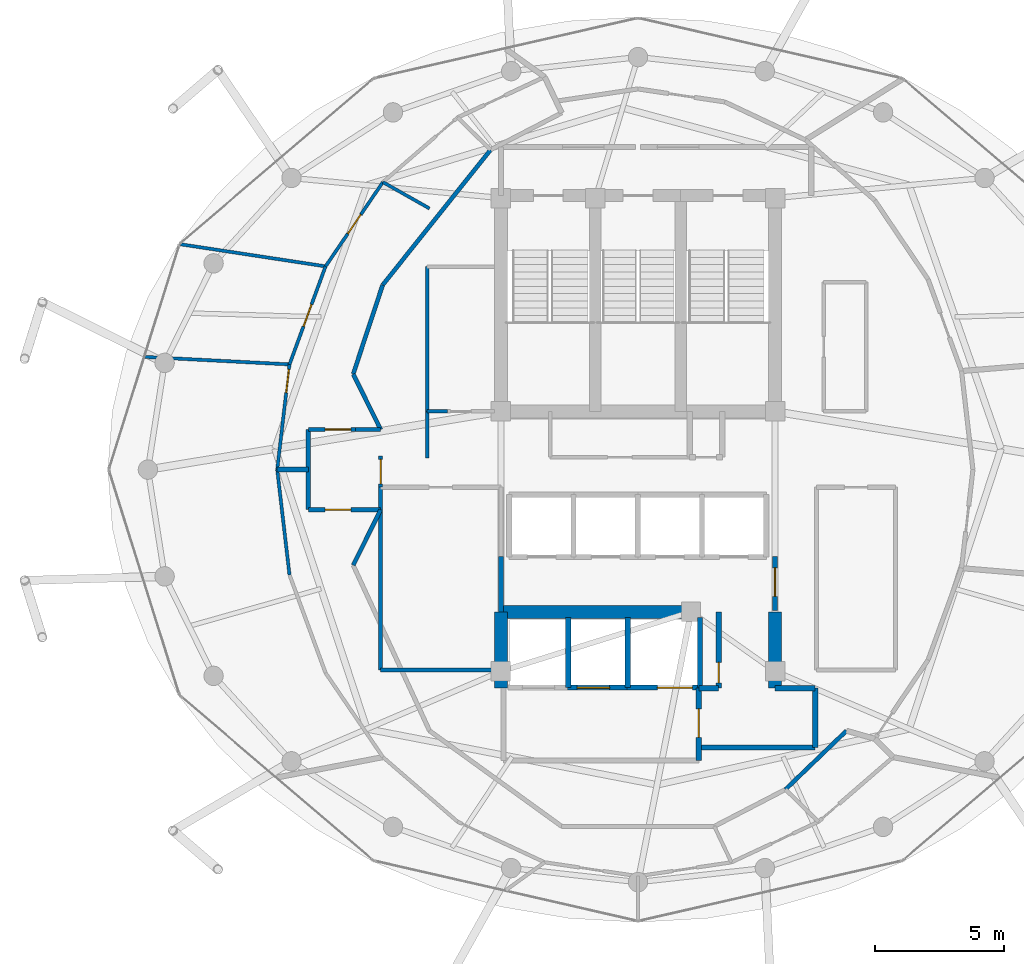
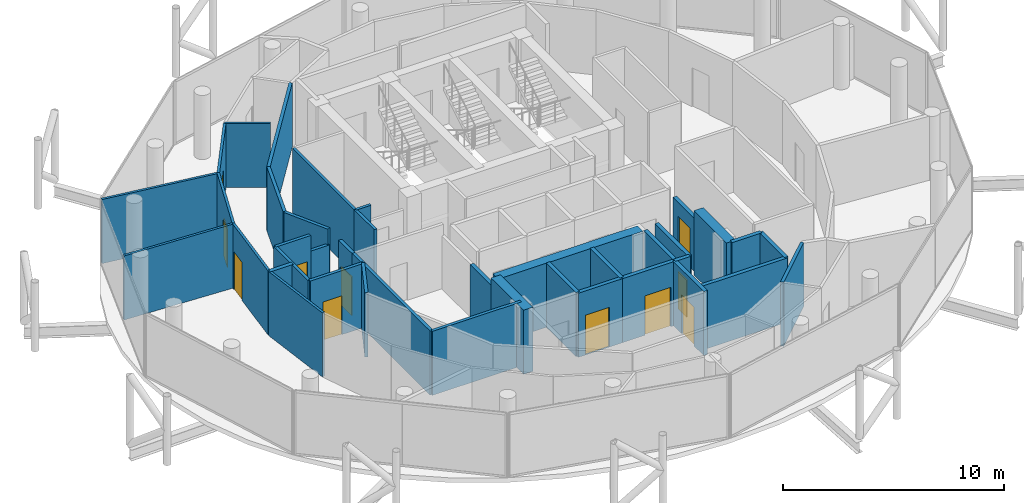
# One storey, part 20 of 24: 39 walls, 11 doors, 11 openings.
"""IFC4 building model written with IfcOpenShell, lengths in metres."""

from ifc_helpers import new_model, si_unit, direction, frame, frame_2d, origin, place, context, subcontext, project, spatial, rectangle, extrude, material, layer, layer_set, type_object, element, fill, save


model = new_model("IFC4")

# Units and contexts
model_context = context("Model", 3, precision=1e-05, world=origin(), true_north=direction((0.0, 1.0)))
body_context = subcontext(model_context, "Body", "Model", "MODEL_VIEW")
ifc_project = project(units=[si_unit("LENGTHUNIT", "METRE"), si_unit("AREAUNIT", "SQUARE_METRE"), si_unit("VOLUMEUNIT", "CUBIC_METRE"), si_unit("PLANEANGLEUNIT", "RADIAN"), si_unit("MASSUNIT", "GRAM", prefix="KILO")], contexts=[model_context])

# Site, building, storey
site_placement = place(None, origin())
site = spatial("IfcSite", under=ifc_project, at=site_placement, CompositionType="ELEMENT")
building_placement = place(site_placement, origin())
building = spatial("IfcBuilding", under=site, at=building_placement, Name="Nuhasar Tower", CompositionType="ELEMENT")
storey_placement = place(building_placement, frame((0.0, 0.0, 282.199951171875)))
storey = spatial("IfcBuildingStorey", under=building, at=storey_placement, Name="L70", CompositionType="ELEMENT", Elevation=282.199951171875)

# Walls
ifc_material_1 = material(Name="Concrete C50/60", Category="concrete")
ifc_layer_1 = layer(ifc_material_1, 0.5)
ifc_layer_set_1 = layer_set([ifc_layer_1], Name="Concrete C50/60")
wall_type_1 = type_object("IfcWallType", Name="WL-CORE-500", PredefinedType="SHEAR", material=ifc_layer_set_1)
for number, where, z_axis, x_axis, name in (
    (1, (33.699951171875, 18.35009765625, 0.0), (0.0, 0.0, 1.0), (0.0, 1.0, 0.0), "L70 Core Shear Wall CW-SW CW-500"),
    (2, (44.300048828125, 18.35009765625, 0.0), (0.0, 0.0, 1.0), (0.0, 1.0, 0.0), "L70 Core Shear Wall CW-SE CW-500"),
):
    element("IfcWall", number, at=place(storey_placement, frame(where, z_axis=z_axis, x_axis=x_axis)), inside=storey, type_object=wall_type_1, Name=name, PredefinedType="SHEAR", context=body_context, shape_type="SweptSolid", body=[
        extrude(rectangle(XDim=2.949951171875, YDim=0.5, at=frame_2d((1.47509765625, 0.0))), origin(), (0.0, 0.0, 1.0), 3.5400390625),
    ])
wall_1_placement = place(storey_placement, frame((33.699951171875, 21.300048828125, 0.0), z_axis=(0.0, 0.0, 1.0), x_axis=(1.0, 0.0, 0.0)))
element("IfcWall", 3, at=wall_1_placement, inside=storey, type_object=wall_type_1, Name="L70 Core Shear Wall CW-S1 CW-500", PredefinedType="SHEAR", context=body_context, shape_type="SweptSolid", body=[
    extrude(rectangle(XDim=7.550048828125, YDim=0.5, at=frame_2d((3.77490234375, 0.0))), origin(), (0.0, 0.0, 1.0), 3.5400390625),
])
ifc_material_2 = material(Name="Gypsum Board", Category="gypsum")
ifc_layer_2 = layer(ifc_material_2, 0.159912109375)
ifc_layer_set_2 = layer_set([ifc_layer_2], Name="Gypsum Board")
wall_type_2 = type_object("IfcWallType", Name="WL-CORR-160", PredefinedType="PARTITIONING", material=ifc_layer_set_2)
wall_2_placement = place(storey_placement, frame((29.050048828125, 19.050048828125, 0.0), z_axis=(0.0, 0.0, 1.0), x_axis=(1.0, 0.0, 0.0)))
element("IfcWall", 4, at=wall_2_placement, inside=storey, type_object=wall_type_2, Name="L70 Interior Partition RECL-B1-S", PredefinedType="PARTITIONING", context=body_context, shape_type="SweptSolid", body=[
    extrude(rectangle(XDim=4.64990234375, YDim=0.159912109375, at=frame_2d((2.324951171875, 0.0))), origin(), (0.0, 0.0, 1.0), 3.5400390625),
])
wall_3_placement = place(storey_placement, frame((29.050048828125, 19.050048828125, 0.0), z_axis=(0.0, 0.0, 1.0), x_axis=(0.0, 1.0, 0.0)))
element("IfcWall", 5, at=wall_3_placement, inside=storey, type_object=wall_type_2, Name="L70 Interior Partition RECL-B1-W", PredefinedType="PARTITIONING", context=body_context, shape_type="SweptSolid", body=[
    extrude(rectangle(XDim=7.070068359375, YDim=0.159912109375, at=frame_2d((3.53515625, 0.0))), origin(), (0.0, 0.0, 1.0), 3.5400390625),
])

# Wall, opening, door
wall_4_placement = place(storey_placement, frame((29.050048828125, 26.1201171875, 0.0), z_axis=(0.0, 0.0, 1.0), x_axis=(0.0, 1.0, 0.0)))
wall_4 = element("IfcWall", 6, at=wall_4_placement, inside=storey, type_object=wall_type_2, Name="L70 Interior Partition WVEST-E", PredefinedType="PARTITIONING", context=body_context, shape_type="SweptSolid", body=[
    extrude(rectangle(XDim=1.199951171875, YDim=0.159912109375, at=frame_2d((0.60009765625, 0.0))), origin(), (0.0, 0.0, 1.0), 3.5400390625),
])
opening_1_placement = place(wall_4_placement, frame((0.125, 0.0, 0.0)))
opening_1 = element("IfcOpeningElement", 7, at=opening_1_placement, cuts=wall_4, Name="Opening DO-01", PredefinedType="OPENING", context=body_context, shape_type="SweptSolid", body=[
    extrude(rectangle(XDim=0.949951171875, YDim=2.14990234375, at=frame_2d((0.47509765625, 1.074951171875))), frame((0.0, 0.08984375, 0.0), z_axis=(0.0, -1.0, 0.0), x_axis=(1.0, 0.0, 0.0)), (0.0, 0.0, 1.0), 0.179931640625),
])
ifc_material_3 = material(Name="Timber Oak", Category="wood")
door_type_1 = type_object("IfcDoorType", Name="DR-OFFICE-FD30-950", OperationType="NOTDEFINED", PredefinedType="DOOR", material=ifc_material_3)
door_1_placement = place(opening_1_placement, origin())
door_1 = element("IfcDoor", 8, at=door_1_placement, inside=storey, type_object=door_type_1, Name="L70 West Arrival Foyer Core Door", OperationType="SINGLE_SWING_RIGHT", OverallHeight=2.14990234375, OverallWidth=0.949951171875, PredefinedType="DOOR", context=body_context, shape_type="SweptSolid", body=[
    extrude(rectangle(XDim=0.949951171875, YDim=2.14990234375, at=frame_2d((0.47509765625, 1.074951171875))), frame((0.0, 0.02490234375, 0.0), z_axis=(0.0, -1.0, 0.0), x_axis=(1.0, 0.0, 0.0)), (0.0, 0.0, 1.0), 0.050048828125),
])
fill(opening_1, door_1)

# Walls
wall_5_placement = place(storey_placement, frame((33.300048828125, 39.1669921875, 0.0), z_axis=(0.0, 0.0, 1.0), x_axis=(-0.623915746766, -0.781491612839, 0.0)))
element("IfcWall", 9, at=wall_5_placement, inside=storey, type_object=wall_type_2, Name="L70 Interior Partition UWEST-CORE-N2-16", PredefinedType="PARTITIONING", context=body_context, shape_type="SweptSolid", body=[
    extrude(rectangle(XDim=6.6884765625, YDim=0.159912109375, at=frame_2d((3.34423828125, 0.0))), origin(), (0.0, 0.0, 1.0), 3.5400390625),
])
wall_6_placement = place(storey_placement, frame((29.126953125, 33.93994140625, 0.0), z_axis=(0.0, 0.0, 1.0), x_axis=(-0.313985571683, -0.949427754374, 0.0)))
element("IfcWall", 10, at=wall_6_placement, inside=storey, type_object=wall_type_2, Name="L70 Interior Partition UWEST-CORE-N2-20", PredefinedType="PARTITIONING", context=body_context, shape_type="SweptSolid", body=[
    extrude(rectangle(XDim=3.627197265625, YDim=0.159912109375, at=frame_2d((1.8134765625, 0.0))), origin(), (0.0, 0.0, 1.0), 3.5400390625),
])
wall_7_placement = place(storey_placement, frame((44.699951171875, 14.43310546875, 0.0), z_axis=(0.0, 0.0, 1.0), x_axis=(0.72090897908, 0.693029756851, 0.0)))
element("IfcWall", 11, at=wall_7_placement, inside=storey, type_object=wall_type_2, Name="L70 Interior Partition UWEST-CORE-S2-40", PredefinedType="PARTITIONING", context=body_context, shape_type="SweptSolid", body=[
    extrude(rectangle(XDim=3.275146484375, YDim=0.159912109375, at=frame_2d((1.6376953125, 0.0))), origin(), (0.0, 0.0, 1.0), 3.5400390625),
])

# Wall, opening, door
wall_8_placement = place(storey_placement, frame((26.25, 28.35009765625, 0.0), z_axis=(0.0, 0.0, 1.0), x_axis=(1.0, 0.0, 0.0)))
wall_8 = element("IfcWall", 12, at=wall_8_placement, inside=storey, type_object=wall_type_2, Name="L70 Interior Partition WVEST-N", PredefinedType="PARTITIONING", context=body_context, shape_type="SweptSolid", body=[
    extrude(rectangle(XDim=1.820068359375, YDim=0.159912109375, at=frame_2d((0.91015625, 0.0))), origin(), (0.0, 0.0, 1.0), 3.5400390625),
])
opening_2_placement = place(wall_8_placement, frame((0.64990234375, 0.0, 0.0)))
opening_2 = element("IfcOpeningElement", 13, at=opening_2_placement, cuts=wall_8, Name="Opening DU-02", PredefinedType="OPENING", context=body_context, shape_type="SweptSolid", body=[
    extrude(rectangle(XDim=1.0, YDim=2.14990234375, at=frame_2d((0.5, 1.074951171875))), frame((0.0, 0.08984375, 0.0), z_axis=(0.0, -1.0, 0.0), x_axis=(1.0, 0.0, 0.0)), (0.0, 0.0, 1.0), 0.179931640625),
])
door_type_2 = type_object("IfcDoorType", Name="DR-FLAT-FD60-1000", OperationType="NOTDEFINED", PredefinedType="DOOR", material=ifc_material_3)
door_2_placement = place(opening_2_placement, origin())
door_2 = element("IfcDoor", 14, at=door_2_placement, inside=storey, type_object=door_type_2, Name="L70 North-West Sky Home Entrance", OperationType="SINGLE_SWING_LEFT", OverallHeight=2.14990234375, OverallWidth=1.0, PredefinedType="DOOR", context=body_context, shape_type="SweptSolid", body=[
    extrude(rectangle(XDim=1.0, YDim=2.14990234375, at=frame_2d((0.5, 1.074951171875))), frame((0.0, 0.02490234375, 0.0), z_axis=(0.0, -1.0, 0.0), x_axis=(1.0, 0.0, 0.0)), (0.0, 0.0, 1.0), 0.050048828125),
])
fill(opening_2, door_2)

# Wall
wall_9_placement = place(storey_placement, frame((28.070068359375, 28.35009765625, 0.0), z_axis=(0.0, 0.0, 1.0), x_axis=(1.0, 0.0, 0.0)))
element("IfcWall", 15, at=wall_9_placement, inside=storey, type_object=wall_type_2, Name="L70 Interior Partition WVEST-N", PredefinedType="PARTITIONING", context=body_context, shape_type="SweptSolid", body=[
    extrude(rectangle(XDim=0.97998046875, YDim=0.159912109375, at=frame_2d((0.489990234375, 0.0))), origin(), (0.0, 0.0, 1.0), 2.679931640625),
])

# Wall, opening, door
wall_10_placement = place(storey_placement, frame((26.25, 25.25, 0.0), z_axis=(0.0, 0.0, 1.0), x_axis=(1.0, 0.0, 0.0)))
wall_10 = element("IfcWall", 16, at=wall_10_placement, inside=storey, type_object=wall_type_2, Name="L70 Interior Partition WVEST-S", PredefinedType="PARTITIONING", context=body_context, shape_type="SweptSolid", body=[
    extrude(rectangle(XDim=2.800048828125, YDim=0.159912109375, at=frame_2d((1.39990234375, 0.0))), origin(), (0.0, 0.0, 1.0), 3.5400390625),
])
opening_3_placement = place(wall_10_placement, frame((0.64990234375, 0.0, 0.0)))
opening_3 = element("IfcOpeningElement", 17, at=opening_3_placement, cuts=wall_10, Name="Opening DU-02", PredefinedType="OPENING", context=body_context, shape_type="SweptSolid", body=[
    extrude(rectangle(XDim=1.0, YDim=2.14990234375, at=frame_2d((0.5, 1.074951171875))), frame((0.0, 0.08984375, 0.0), z_axis=(0.0, -1.0, 0.0), x_axis=(1.0, 0.0, 0.0)), (0.0, 0.0, 1.0), 0.179931640625),
])
door_3_placement = place(opening_3_placement, origin())
door_3 = element("IfcDoor", 18, at=door_3_placement, inside=storey, type_object=door_type_2, Name="L70 South-West Sky Home Entrance", OperationType="SINGLE_SWING_LEFT", OverallHeight=2.14990234375, OverallWidth=1.0, PredefinedType="DOOR", context=body_context, shape_type="SweptSolid", body=[
    extrude(rectangle(XDim=1.0, YDim=2.14990234375, at=frame_2d((0.5, 1.074951171875))), frame((0.0, 0.02490234375, 0.0), z_axis=(0.0, -1.0, 0.0), x_axis=(1.0, 0.0, 0.0)), (0.0, 0.0, 1.0), 0.050048828125),
])
fill(opening_3, door_3)

# Walls
wall_11_placement = place(storey_placement, frame((26.25, 25.25, 0.0), z_axis=(0.0, 0.0, 1.0), x_axis=(0.0, 1.0, 0.0)))
element("IfcWall", 19, at=wall_11_placement, inside=storey, type_object=wall_type_2, Name="L70 Interior Partition WVEST-W", PredefinedType="PARTITIONING", context=body_context, shape_type="SweptSolid", body=[
    extrude(rectangle(XDim=3.10009765625, YDim=0.159912109375, at=frame_2d((1.550048828125, 0.0))), origin(), (0.0, 0.0, 1.0), 3.5400390625),
])
for number, where, z_axis, x_axis, name in (
    (20, (27.988037109375, 30.49609375, 0.0), (0.0, 0.0, 1.0), (0.443539160525, -0.896254993337, 0.0), "L70 Interior Partition WVEST-CN"),
    (21, (27.988037109375, 23.10400390625, 0.0), (0.0, 0.0, 1.0), (0.443539160525, 0.896254993337, 0.0), "L70 Interior Partition WVEST-CS"),
):
    element("IfcWall", number, at=place(storey_placement, frame(where, z_axis=z_axis, x_axis=x_axis)), inside=storey, type_object=wall_type_2, Name=name, PredefinedType="PARTITIONING", context=body_context, shape_type="SweptSolid", body=[
        extrude(rectangle(XDim=2.394287109375, YDim=0.159912109375, at=frame_2d((1.197265625, 0.0))), origin(), (0.0, 0.0, 1.0), 3.5400390625),
    ])
ifc_material_4 = material(Name="Concrete C45/55", Category="concrete")
ifc_layer_3 = layer(ifc_material_4, 0.199951171875)
ifc_layer_set_3 = layer_set([ifc_layer_3], Name="Concrete C45/55")
wall_type_3 = type_object("IfcWallType", Name="WL-LOBBY-200", PredefinedType="SOLIDWALL", material=ifc_layer_set_3)
wall_12_placement = place(storey_placement, frame((33.699951171875, 21.300048828125, 0.0), z_axis=(0.0, 0.0, 1.0), x_axis=(0.0, 1.0, 0.0)))
element("IfcWall", 22, at=wall_12_placement, inside=storey, type_object=wall_type_3, Name="L70 Interior Partition LLBH-W", PredefinedType="SOLIDWALL", context=body_context, shape_type="SweptSolid", body=[
    extrude(rectangle(XDim=2.14990234375, YDim=0.199951171875, at=frame_2d((1.074951171875, 0.0))), origin(), (0.0, 0.0, 1.0), 2.925048828125),
])

# Wall, opening, door
wall_13_placement = place(storey_placement, frame((44.300048828125, 21.35009765625, 0.0), z_axis=(0.0, 0.0, 1.0), x_axis=(0.0, 1.0, 0.0)))
wall_13 = element("IfcWall", 23, at=wall_13_placement, inside=storey, type_object=wall_type_3, Name="L70 Interior Partition LLBH-E", PredefinedType="SOLIDWALL", context=body_context, shape_type="SweptSolid", body=[
    extrude(rectangle(XDim=2.099853515625, YDim=0.199951171875, at=frame_2d((1.0498046875, 0.0))), origin(), (0.0, 0.0, 1.0), 2.925048828125),
])
opening_4_placement = place(wall_13_placement, frame((0.550048828125, 0.0, 0.0)))
opening_4 = element("IfcOpeningElement", 24, at=opening_4_placement, cuts=wall_13, Name="Opening DS-02", PredefinedType="OPENING", context=body_context, shape_type="SweptSolid", body=[
    extrude(rectangle(XDim=1.10009765625, YDim=2.14990234375, at=frame_2d((0.550048828125, 1.074951171875))), frame((0.0, 0.10986328125, 0.0), z_axis=(0.0, -1.0, 0.0), x_axis=(1.0, 0.0, 0.0)), (0.0, 0.0, 1.0), 0.219970703125),
])
ifc_material_5 = material(Name="Steel S355", Category="steel")
door_type_3 = type_object("IfcDoorType", Name="DR-FFL-FD120-1100", OperationType="NOTDEFINED", PredefinedType="DOOR", material=ifc_material_5)
door_4_placement = place(opening_4_placement, origin())
door_4 = element("IfcDoor", 25, at=door_4_placement, inside=storey, type_object=door_type_3, Name="L70 High-Rise Lobby East Door", OperationType="SINGLE_SWING_RIGHT", OverallHeight=2.14990234375, OverallWidth=1.10009765625, PredefinedType="DOOR", context=body_context, shape_type="SweptSolid", body=[
    extrude(rectangle(XDim=1.10009765625, YDim=2.14990234375, at=frame_2d((0.550048828125, 1.074951171875))), frame((0.0, 0.02490234375, 0.0), z_axis=(0.0, -1.0, 0.0), x_axis=(1.0, 0.0, 0.0)), (0.0, 0.0, 1.0), 0.050048828125),
])
fill(opening_4, door_4)

wall_14_placement = place(storey_placement, frame((41.35009765625, 15.550048828125, 0.0), z_axis=(0.0, 0.0, 1.0), x_axis=(0.0, 1.0, 0.0)))
wall_14 = element("IfcWall", 26, at=wall_14_placement, inside=storey, type_object=wall_type_3, Name="L70 Interior Partition FFL-E", PredefinedType="SOLIDWALL", context=body_context, shape_type="SweptSolid", body=[
    extrude(rectangle(XDim=2.800048828125, YDim=0.199951171875, at=frame_2d((1.39990234375, 0.0))), origin(), (0.0, 0.0, 1.0), 3.5400390625),
])
opening_5_placement = place(wall_14_placement, frame((0.89990234375, 0.0, 0.0)))
opening_5 = element("IfcOpeningElement", 27, at=opening_5_placement, cuts=wall_14, Name="Opening DS-02", PredefinedType="OPENING", context=body_context, shape_type="SweptSolid", body=[
    extrude(rectangle(XDim=1.10009765625, YDim=2.14990234375, at=frame_2d((0.550048828125, 1.074951171875))), frame((0.0, 0.10986328125, 0.0), z_axis=(0.0, -1.0, 0.0), x_axis=(1.0, 0.0, 0.0)), (0.0, 0.0, 1.0), 0.219970703125),
])
door_5_placement = place(opening_5_placement, origin())
door_5 = element("IfcDoor", 28, at=door_5_placement, inside=storey, type_object=door_type_3, Name="L70 Firefighting Lobby Door", OperationType="SINGLE_SWING_RIGHT", OverallHeight=2.14990234375, OverallWidth=1.10009765625, PredefinedType="DOOR", context=body_context, shape_type="SweptSolid", body=[
    extrude(rectangle(XDim=1.10009765625, YDim=2.14990234375, at=frame_2d((0.550048828125, 1.074951171875))), frame((0.0, 0.02490234375, 0.0), z_axis=(0.0, -1.0, 0.0), x_axis=(1.0, 0.0, 0.0)), (0.0, 0.0, 1.0), 0.050048828125),
])
fill(opening_5, door_5)

# Walls
wall_15_placement = place(storey_placement, frame((41.35009765625, 16.050048828125, 0.0), z_axis=(0.0, 0.0, 1.0), x_axis=(1.0, 0.0, 0.0)))
element("IfcWall", 29, at=wall_15_placement, inside=storey, type_object=wall_type_3, Name="L70 Interior Partition SVLV-S", PredefinedType="SOLIDWALL", context=body_context, shape_type="SweptSolid", body=[
    extrude(rectangle(XDim=4.5, YDim=0.199951171875, at=frame_2d((2.25, 0.0))), origin(), (0.0, 0.0, 1.0), 3.5400390625),
])
wall_16_placement = place(storey_placement, frame((45.85009765625, 16.050048828125, 0.0), z_axis=(0.0, 0.0, 1.0), x_axis=(0.0, 1.0, 0.0)))
element("IfcWall", 30, at=wall_16_placement, inside=storey, type_object=wall_type_3, Name="L70 Interior Partition SVLV-E", PredefinedType="SOLIDWALL", context=body_context, shape_type="SweptSolid", body=[
    extrude(rectangle(XDim=2.300048828125, YDim=0.199951171875, at=frame_2d((1.14990234375, 0.0))), origin(), (0.0, 0.0, 1.0), 3.5400390625),
])
wall_17_placement = place(storey_placement, frame((44.300048828125, 18.35009765625, 0.0), z_axis=(0.0, 0.0, 1.0), x_axis=(1.0, 0.0, 0.0)))
element("IfcWall", 31, at=wall_17_placement, inside=storey, type_object=wall_type_3, Name="L70 Interior Partition SVLV-N", PredefinedType="SOLIDWALL", context=body_context, shape_type="SweptSolid", body=[
    extrude(rectangle(XDim=1.550048828125, YDim=0.199951171875, at=frame_2d((0.77490234375, 0.0))), origin(), (0.0, 0.0, 1.0), 3.5400390625),
])
ifc_layer_4 = layer(ifc_material_2, 0.125)
ifc_layer_set_4 = layer_set([ifc_layer_4], Name="Gypsum Board")
wall_type_4 = type_object("IfcWallType", Name="WL-PART-125", PredefinedType="PARTITIONING", material=ifc_layer_set_4)
wall_18_placement = place(storey_placement, frame((30.93896484375, 36.89697265625, 0.0), z_axis=(0.0, 0.0, 1.0), x_axis=(-0.870569425254, 0.492045603387, 0.0)))
element("IfcWall", 32, at=wall_18_placement, inside=storey, type_object=wall_type_4, Name="L70 Interior Partition USI-1-KD", PredefinedType="PARTITIONING", context=body_context, shape_type="SweptSolid", body=[
    extrude(rectangle(XDim=2.071044921875, YDim=0.125, at=frame_2d((1.03564453125, 0.0))), origin(), (0.0, 0.0, 1.0), 3.5400390625),
])

# Wall, opening, door
wall_19_placement = place(storey_placement, frame((26.9189453125, 34.659912109375, 0.0), z_axis=(0.0, 0.0, 1.0), x_axis=(0.562811699753, 0.826585138157, 0.0)))
wall_19 = element("IfcWall", 33, at=wall_19_placement, inside=storey, type_object=wall_type_4, Name="L70 Interior Partition USM-1-D-18", PredefinedType="PARTITIONING", context=body_context, shape_type="SweptSolid", body=[
    extrude(rectangle(XDim=3.939208984375, YDim=0.125, at=frame_2d((1.9697265625, 0.0))), origin(), (0.0, 0.0, 1.0), 3.5400390625),
])
opening_6_placement = place(wall_19_placement, frame((1.52001953125, 0.0, 0.0)))
opening_6 = element("IfcOpeningElement", 34, at=opening_6_placement, cuts=wall_19, Name="Opening DR-01", PredefinedType="OPENING", context=body_context, shape_type="SweptSolid", body=[
    extrude(rectangle(XDim=0.89990234375, YDim=2.10009765625, at=frame_2d((0.449951171875, 1.050048828125))), frame((0.0, 0.072509765625, 0.0), z_axis=(0.0, -1.0, 0.0), x_axis=(1.0, 0.0, 0.0)), (0.0, 0.0, 1.0), 0.14501953125),
])
door_type_4 = type_object("IfcDoorType", Name="DR-ROOM-900", OperationType="NOTDEFINED", PredefinedType="DOOR", material=ifc_material_3)
door_6_placement = place(opening_6_placement, origin())
door_6 = element("IfcDoor", 35, at=door_6_placement, inside=storey, type_object=door_type_4, Name="L70 North-West Sky Home Master Bedroom Door", OperationType="SINGLE_SWING_LEFT", OverallHeight=2.10009765625, OverallWidth=0.89990234375, PredefinedType="DOOR", context=body_context, shape_type="SweptSolid", body=[
    extrude(rectangle(XDim=0.89990234375, YDim=2.10009765625, at=frame_2d((0.449951171875, 1.050048828125))), frame((0.0, 0.02490234375, 0.0), z_axis=(0.0, -1.0, 0.0), x_axis=(1.0, 0.0, 0.0)), (0.0, 0.0, 1.0), 0.050048828125),
])
fill(opening_6, door_6)

wall_20_placement = place(storey_placement, frame((25.52490234375, 30.868896484375, 0.0), z_axis=(0.0, 0.0, 1.0), x_axis=(0.345128286029, 0.938555521097, 0.0)))
wall_20 = element("IfcWall", 36, at=wall_20_placement, inside=storey, type_object=wall_type_4, Name="L70 Interior Partition USM-1-D-20", PredefinedType="PARTITIONING", context=body_context, shape_type="SweptSolid", body=[
    extrude(rectangle(XDim=4.039306640625, YDim=0.125, at=frame_2d((2.01953125, 0.0))), origin(), (0.0, 0.0, 1.0), 3.5400390625),
])
opening_7_placement = place(wall_20_placement, frame((1.570068359375, 0.0, 0.0)))
opening_7 = element("IfcOpeningElement", 37, at=opening_7_placement, cuts=wall_20, Name="Opening DR-01", PredefinedType="OPENING", context=body_context, shape_type="SweptSolid", body=[
    extrude(rectangle(XDim=0.89990234375, YDim=2.10009765625, at=frame_2d((0.449951171875, 1.050048828125))), frame((0.0, 0.072509765625, 0.0), z_axis=(0.0, -1.0, 0.0), x_axis=(1.0, 0.0, 0.0)), (0.0, 0.0, 1.0), 0.14501953125),
])
door_7_placement = place(opening_7_placement, origin())
door_7 = element("IfcDoor", 38, at=door_7_placement, inside=storey, type_object=door_type_4, Name="L70 North-West Sky Home Study Door", OperationType="SINGLE_SWING_RIGHT", OverallHeight=2.10009765625, OverallWidth=0.89990234375, PredefinedType="DOOR", context=body_context, shape_type="SweptSolid", body=[
    extrude(rectangle(XDim=0.89990234375, YDim=2.10009765625, at=frame_2d((0.449951171875, 1.050048828125))), frame((0.0, 0.02490234375, 0.0), z_axis=(0.0, -1.0, 0.0), x_axis=(1.0, 0.0, 0.0)), (0.0, 0.0, 1.0), 0.050048828125),
])
fill(opening_7, door_7)

wall_21_placement = place(storey_placement, frame((25.050048828125, 26.800048828125, 0.0), z_axis=(0.0, 0.0, 1.0), x_axis=(0.115917937966, 0.993258793899, 0.0)))
wall_21 = element("IfcWall", 39, at=wall_21_placement, inside=storey, type_object=wall_type_4, Name="L70 Interior Partition USM-1-D-22", PredefinedType="PARTITIONING", context=body_context, shape_type="SweptSolid", body=[
    extrude(rectangle(XDim=4.096435546875, YDim=0.125, at=frame_2d((2.04833984375, 0.0))), origin(), (0.0, 0.0, 1.0), 3.5400390625),
])
opening_8_placement = place(wall_21_placement, frame((2.9970703125, 0.0, 0.0)))
opening_8 = element("IfcOpeningElement", 40, at=opening_8_placement, cuts=wall_21, Name="Opening DR-01", PredefinedType="OPENING", context=body_context, shape_type="SweptSolid", body=[
    extrude(rectangle(XDim=0.89990234375, YDim=2.10009765625, at=frame_2d((0.449951171875, 1.050048828125))), frame((0.0, 0.072509765625, 0.0), z_axis=(0.0, -1.0, 0.0), x_axis=(1.0, 0.0, 0.0)), (0.0, 0.0, 1.0), 0.14501953125),
])
door_8_placement = place(opening_8_placement, origin())
door_8 = element("IfcDoor", 41, at=door_8_placement, inside=storey, type_object=door_type_4, Name="L70 North-West Sky Home Living Door", OperationType="SINGLE_SWING_RIGHT", OverallHeight=2.10009765625, OverallWidth=0.89990234375, PredefinedType="DOOR", context=body_context, shape_type="SweptSolid", body=[
    extrude(rectangle(XDim=0.89990234375, YDim=2.10009765625, at=frame_2d((0.449951171875, 1.050048828125))), frame((0.0, 0.02490234375, 0.0), z_axis=(0.0, -1.0, 0.0), x_axis=(1.0, 0.0, 0.0)), (0.0, 0.0, 1.0), 0.050048828125),
])
fill(opening_8, door_8)

# Walls
wall_22_placement = place(storey_placement, frame((25.050048828125, 26.800048828125, 0.0), z_axis=(0.0, 0.0, 1.0), x_axis=(0.115911076473, -0.993259594643, 0.0)))
element("IfcWall", 42, at=wall_22_placement, inside=storey, type_object=wall_type_4, Name="L70 Interior Partition USM-1-D-24", PredefinedType="PARTITIONING", context=body_context, shape_type="SweptSolid", body=[
    extrude(rectangle(XDim=4.0966796875, YDim=0.125, at=frame_2d((2.04833984375, 0.0))), origin(), (0.0, 0.0, 1.0), 3.5400390625),
])
wall_23_placement = place(storey_placement, frame((26.9189453125, 34.659912109375, 0.0), z_axis=(0.0, 0.0, 1.0), x_axis=(-0.988628020007, 0.150381641354, 0.0)))
element("IfcWall", 43, at=wall_23_placement, inside=storey, type_object=wall_type_4, Name="L70 Interior Partition USO-1-B1", PredefinedType="PARTITIONING", context=body_context, shape_type="SweptSolid", body=[
    extrude(rectangle(XDim=5.67236328125, YDim=0.125, at=frame_2d((2.836181640625, 0.0))), origin(), (0.0, 0.0, 1.0), 3.5400390625),
])
wall_24_placement = place(storey_placement, frame((25.52490234375, 30.868896484375, 0.0), z_axis=(0.0, 0.0, 1.0), x_axis=(-0.998670767361, 0.051543170428, 0.0)))
element("IfcWall", 44, at=wall_24_placement, inside=storey, type_object=wall_type_4, Name="L70 Interior Partition USO-1-B2", PredefinedType="PARTITIONING", context=body_context, shape_type="SweptSolid", body=[
    extrude(rectangle(XDim=5.589111328125, YDim=0.125, at=frame_2d((2.79443359375, 0.0))), origin(), (0.0, 0.0, 1.0), 3.5400390625),
])
ifc_layer_5 = layer(ifc_material_4, 0.199951171875)
ifc_layer_set_5 = layer_set([ifc_layer_5], Name="Concrete C45/55")
wall_type_5 = type_object("IfcWallType", Name="WL-SHAFT-200", PredefinedType="SOLIDWALL", material=ifc_layer_set_5)
wall_25_placement = place(storey_placement, frame((36.300048828125, 18.3701171875, 0.0), z_axis=(0.0, 0.0, 1.0), x_axis=(0.0, 1.0, 0.0)))
element("IfcWall", 45, at=wall_25_placement, inside=storey, type_object=wall_type_5, Name="L70 Interior Partition SHF-FFL-01-E", PredefinedType="SOLIDWALL", context=body_context, shape_type="SweptSolid", body=[
    extrude(rectangle(XDim=2.7099609375, YDim=0.199951171875, at=frame_2d((1.35498046875, 0.0))), origin(), (0.0, 0.0, 1.0), 3.5400390625),
])

# Wall, opening, door
wall_26_placement = place(storey_placement, frame((36.27001953125, 18.3701171875, 0.0), z_axis=(0.0, 0.0, 1.0), x_axis=(1.0, 0.0, 0.0)))
wall_26 = element("IfcWall", 46, at=wall_26_placement, inside=storey, type_object=wall_type_5, Name="L70 Interior Partition SHF-FFL-02-S", PredefinedType="SOLIDWALL", context=body_context, shape_type="SweptSolid", body=[
    extrude(rectangle(XDim=2.35986328125, YDim=0.199951171875, at=frame_2d((1.179931640625, 0.0))), origin(), (0.0, 0.0, 1.0), 3.5400390625),
])
opening_9_placement = place(wall_26_placement, frame((0.3798828125, 0.0, 0.0)))
opening_9 = element("IfcOpeningElement", 47, at=opening_9_placement, cuts=wall_26, Name="Opening LD-F02", PredefinedType="OPENING", context=body_context, shape_type="SweptSolid", body=[
    extrude(rectangle(XDim=1.25, YDim=2.199951171875, at=frame_2d((0.625, 1.10009765625))), frame((0.0, 0.10986328125, 0.0), z_axis=(0.0, -1.0, 0.0), x_axis=(1.0, 0.0, 0.0)), (0.0, 0.0, 1.0), 0.219970703125),
])
ifc_material_6 = material(Name="Stainless Steel 316L", Category="steel")
door_type_5 = type_object("IfcDoorType", Name="LD-FFL-1250", OperationType="DOUBLE_DOOR_SLIDING", PredefinedType="DOOR", material=ifc_material_6)
door_9_placement = place(opening_9_placement, origin())
door_9 = element("IfcDoor", 48, at=door_9_placement, inside=storey, type_object=door_type_5, Name="L70 Lift Landing Door FFL-02", OperationType="DOUBLE_DOOR_SLIDING", OverallHeight=2.199951171875, OverallWidth=1.25, PredefinedType="DOOR", context=body_context, shape_type="SweptSolid", body=[
    extrude(rectangle(XDim=1.25, YDim=2.199951171875, at=frame_2d((0.625, 1.10009765625))), frame((0.0, 0.02490234375, 0.0), z_axis=(0.0, -1.0, 0.0), x_axis=(1.0, 0.0, 0.0)), (0.0, 0.0, 1.0), 0.050048828125),
])
fill(opening_9, door_9)

# Wall
wall_27_placement = place(storey_placement, frame((38.60009765625, 18.3701171875, 0.0), z_axis=(0.0, 0.0, 1.0), x_axis=(0.0, 1.0, 0.0)))
element("IfcWall", 49, at=wall_27_placement, inside=storey, type_object=wall_type_5, Name="L70 Interior Partition SHF-FFL-02-E", PredefinedType="SOLIDWALL", context=body_context, shape_type="SweptSolid", body=[
    extrude(rectangle(XDim=2.7099609375, YDim=0.199951171875, at=frame_2d((1.35498046875, 0.0))), origin(), (0.0, 0.0, 1.0), 3.5400390625),
])

# Wall, opening, door
wall_28_placement = place(storey_placement, frame((38.570068359375, 18.3701171875, 0.0), z_axis=(0.0, 0.0, 1.0), x_axis=(1.0, 0.0, 0.0)))
wall_28 = element("IfcWall", 50, at=wall_28_placement, inside=storey, type_object=wall_type_5, Name="L70 Interior Partition SHF-SVL-01-S", PredefinedType="SOLIDWALL", context=body_context, shape_type="SweptSolid", body=[
    extrude(rectangle(XDim=2.829833984375, YDim=0.199951171875, at=frame_2d((1.4150390625, 0.0))), origin(), (0.0, 0.0, 1.0), 3.5400390625),
])
opening_10_placement = place(wall_28_placement, frame((1.179931640625, 0.0, 0.0)))
opening_10 = element("IfcOpeningElement", 51, at=opening_10_placement, cuts=wall_28, Name="Opening LD-S01", PredefinedType="OPENING", context=body_context, shape_type="SweptSolid", body=[
    extrude(rectangle(XDim=1.35009765625, YDim=2.179931640625, at=frame_2d((0.675048828125, 1.08984375))), frame((0.0, 0.10986328125, 0.0), z_axis=(0.0, -1.0, 0.0), x_axis=(1.0, 0.0, 0.0)), (0.0, 0.0, 1.0), 0.219970703125),
])
door_type_6 = type_object("IfcDoorType", Name="LD-SVL-1350", OperationType="DOUBLE_DOOR_SLIDING", PredefinedType="DOOR", material=ifc_material_6)
door_10_placement = place(opening_10_placement, origin())
door_10 = element("IfcDoor", 52, at=door_10_placement, inside=storey, type_object=door_type_6, Name="L70 Lift Landing Door SVL-01", OperationType="DOUBLE_DOOR_SLIDING", OverallHeight=2.179931640625, OverallWidth=1.35009765625, PredefinedType="DOOR", context=body_context, shape_type="SweptSolid", body=[
    extrude(rectangle(XDim=1.35009765625, YDim=2.179931640625, at=frame_2d((0.675048828125, 1.08984375))), frame((0.0, 0.02490234375, 0.0), z_axis=(0.0, -1.0, 0.0), x_axis=(1.0, 0.0, 0.0)), (0.0, 0.0, 1.0), 0.050048828125),
])
fill(opening_10, door_10)

# Wall
wall_29_placement = place(storey_placement, frame((41.39990234375, 18.3701171875, 0.0), z_axis=(0.0, 0.0, 1.0), x_axis=(0.0, 1.0, 0.0)))
element("IfcWall", 53, at=wall_29_placement, inside=storey, type_object=wall_type_5, Name="L70 Interior Partition SHF-SVL-01-E", PredefinedType="SOLIDWALL", context=body_context, shape_type="SweptSolid", body=[
    extrude(rectangle(XDim=2.7099609375, YDim=0.199951171875, at=frame_2d((1.35498046875, 0.0))), origin(), (0.0, 0.0, 1.0), 3.5400390625),
])

# Wall, opening, door
wall_30_placement = place(storey_placement, frame((42.1201171875, 18.35009765625, 0.0), z_axis=(0.0, 0.0, 1.0), x_axis=(0.0, 1.0, 0.0)))
wall_30 = element("IfcWall", 54, at=wall_30_placement, inside=storey, type_object=wall_type_5, Name="L70 Interior Partition RSR-E", PredefinedType="SOLIDWALL", context=body_context, shape_type="SweptSolid", body=[
    extrude(rectangle(XDim=2.949951171875, YDim=0.199951171875, at=frame_2d((1.47509765625, 0.0))), origin(), (0.0, 0.0, 1.0), 3.5400390625),
])
opening_11_placement = place(wall_30_placement, frame((0.199951171875, 0.0, 0.0)))
opening_11 = element("IfcOpeningElement", 55, at=opening_11_placement, cuts=wall_30, Name="Opening DM-01", PredefinedType="OPENING", context=body_context, shape_type="SweptSolid", body=[
    extrude(rectangle(XDim=0.800048828125, YDim=2.050048828125, at=frame_2d((0.39990234375, 1.02490234375))), frame((0.0, 0.10986328125, 0.0), z_axis=(0.0, -1.0, 0.0), x_axis=(1.0, 0.0, 0.0)), (0.0, 0.0, 1.0), 0.219970703125),
])
door_type_7 = type_object("IfcDoorType", Name="DR-RISER-FD60-800", OperationType="NOTDEFINED", PredefinedType="DOOR", material=ifc_material_5)
door_11_placement = place(opening_11_placement, origin())
door_11 = element("IfcDoor", 56, at=door_11_placement, inside=storey, type_object=door_type_7, Name="L70 MEP Riser Access Door", OperationType="SINGLE_SWING_LEFT", OverallHeight=2.050048828125, OverallWidth=0.800048828125, PredefinedType="DOOR", context=body_context, shape_type="SweptSolid", body=[
    extrude(rectangle(XDim=0.800048828125, YDim=2.050048828125, at=frame_2d((0.39990234375, 1.02490234375))), frame((0.0, 0.02490234375, 0.0), z_axis=(0.0, -1.0, 0.0), x_axis=(1.0, 0.0, 0.0)), (0.0, 0.0, 1.0), 0.050048828125),
])
fill(opening_11, door_11)

# Walls
wall_31_placement = place(storey_placement, frame((41.35009765625, 18.35009765625, 0.0), z_axis=(0.0, 0.0, 1.0), x_axis=(1.0, 0.0, 0.0)))
element("IfcWall", 57, at=wall_31_placement, inside=storey, type_object=wall_type_5, Name="L70 Interior Partition RSR-S", PredefinedType="SOLIDWALL", context=body_context, shape_type="SweptSolid", body=[
    extrude(rectangle(XDim=0.77001953125, YDim=0.199951171875, at=frame_2d((0.385009765625, 0.0))), origin(), (0.0, 0.0, 1.0), 3.5400390625),
])
ifc_material_7 = material(Name="Concrete C40/50 precast", Category="concrete")
ifc_layer_6 = layer(ifc_material_7, 0.199951171875)
ifc_layer_set_6 = layer_set([ifc_layer_6], Name="Concrete C40/50 precast")
wall_type_6 = type_object("IfcWallType", Name="WL-UNIT-200", PredefinedType="PARTITIONING", material=ifc_layer_set_6)
wall_32_placement = place(storey_placement, frame((26.25, 26.800048828125, 0.0), z_axis=(0.0, 0.0, 1.0), x_axis=(-1.0, 0.0, 0.0)))
element("IfcWall", 58, at=wall_32_placement, inside=storey, type_object=wall_type_6, Name="L70 Interior Partition UWEST-PARTY-IN", PredefinedType="PARTITIONING", context=body_context, shape_type="SweptSolid", body=[
    extrude(rectangle(XDim=1.199951171875, YDim=0.199951171875, at=frame_2d((0.60009765625, 0.0))), origin(), (0.0, 0.0, 1.0), 3.5400390625),
])
ifc_layer_7 = layer(ifc_material_7, 0.139892578125)
ifc_layer_set_7 = layer_set([ifc_layer_7], Name="Concrete C40/50 precast")
wall_type_7 = type_object("IfcWallType", Name="WL-WET-140", PredefinedType="PARTITIONING", material=ifc_layer_set_7)
wall_33_placement = place(storey_placement, frame((30.85009765625, 27.239990234375, 0.0), z_axis=(0.0, 0.0, 1.0), x_axis=(0.0, 1.0, 0.0)))
element("IfcWall", 59, at=wall_33_placement, inside=storey, type_object=wall_type_7, Name="L70 Interior Partition K3-FOY-W", PredefinedType="PARTITIONING", context=body_context, shape_type="SweptSolid", body=[
    extrude(rectangle(XDim=1.81005859375, YDim=0.139892578125, at=frame_2d((0.905029296875, 0.0))), origin(), (0.0, 0.0, 1.0), 3.5400390625),
])
wall_34_placement = place(storey_placement, frame((30.85009765625, 29.050048828125, 0.0), z_axis=(0.0, 0.0, 1.0), x_axis=(1.0, 0.0, 0.0)))
element("IfcWall", 60, at=wall_34_placement, inside=storey, type_object=wall_type_7, Name="L70 Interior Partition K3-NW-S", PredefinedType="PARTITIONING", context=body_context, shape_type="SweptSolid", body=[
    extrude(rectangle(XDim=0.77978515625, YDim=0.139892578125, at=frame_2d((0.389892578125, 0.0))), origin(), (0.0, 0.0, 1.0), 3.5400390625),
])
wall_35_placement = place(storey_placement, frame((30.85009765625, 29.050048828125, 0.0), z_axis=(0.0, 0.0, 1.0), x_axis=(0.0, 1.0, 0.0)))
element("IfcWall", 61, at=wall_35_placement, inside=storey, type_object=wall_type_7, Name="L70 Interior Partition K3-NW-W", PredefinedType="PARTITIONING", context=body_context, shape_type="SweptSolid", body=[
    extrude(rectangle(XDim=5.599853515625, YDim=0.139892578125, at=frame_2d((2.7998046875, 0.0))), origin(), (0.0, 0.0, 1.0), 3.5400390625),
])

save(model, "model.ifc")
